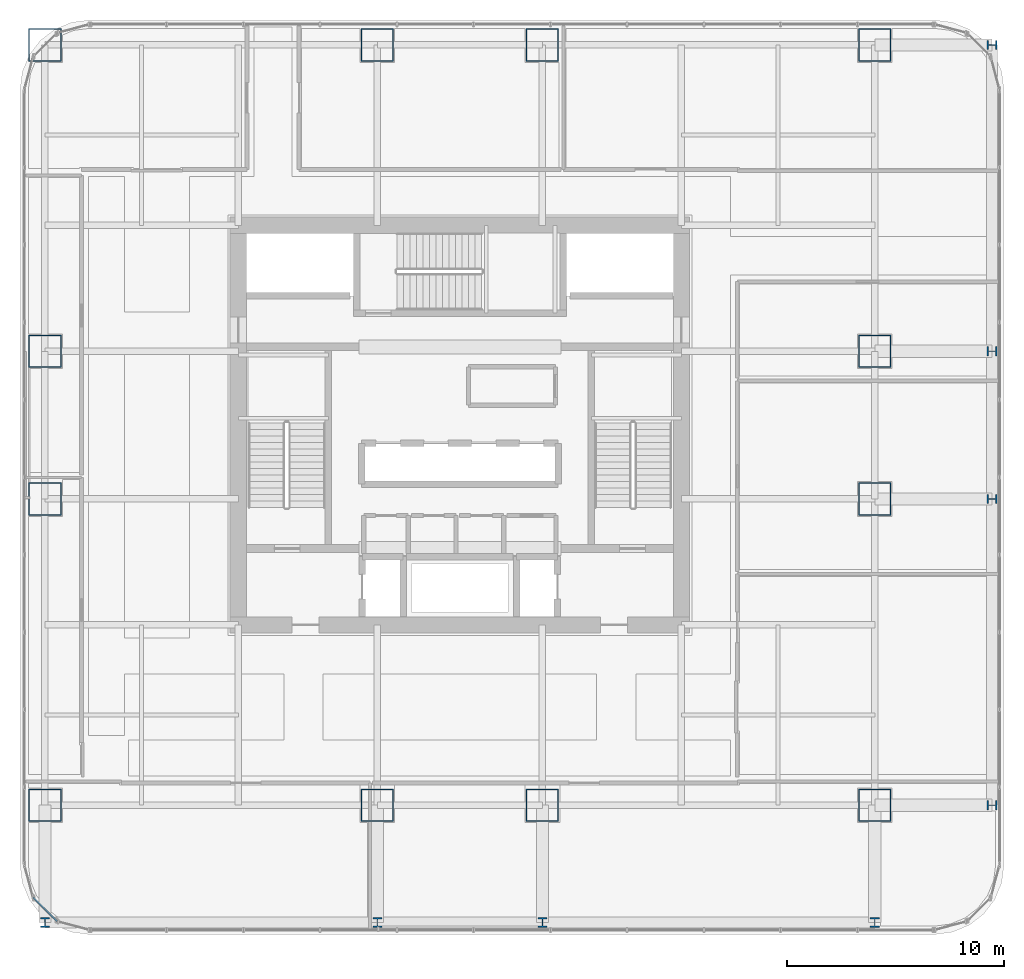
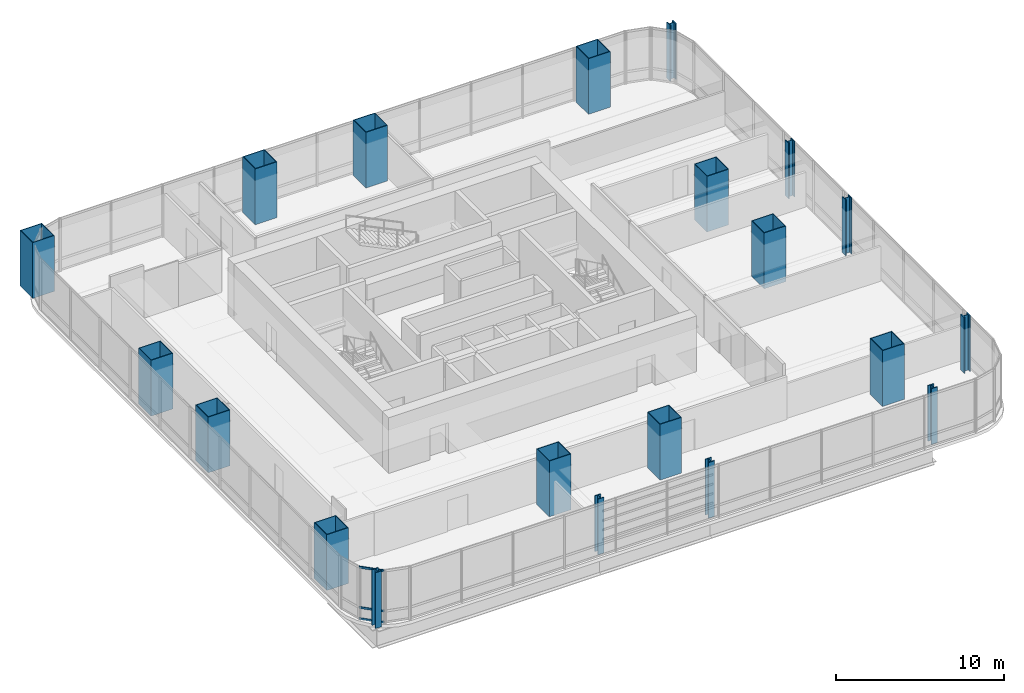
# One storey, part 1 of 35: 20 columns, 3 members, 1 element without a shape of its own.
"""IFC4 building model written with IfcOpenShell, lengths in metres."""

from ifc_helpers import new_model, si_unit, direction, frame, origin, origin_2d, place, context, subcontext, project, spatial, hollow_rectangle, i_section, extrude, material, material_profile, profile_set, type_object, element, aggregate, save


model = new_model("IFC4")

# Units and contexts
model_context = context("Model", 3, precision=1e-05, world=origin(), true_north=direction((0.0, 1.0)))
body_context = subcontext(model_context, "Body", "Model", "MODEL_VIEW")
ifc_project = project(units=[si_unit("LENGTHUNIT", "METRE"), si_unit("AREAUNIT", "SQUARE_METRE"), si_unit("VOLUMEUNIT", "CUBIC_METRE"), si_unit("PLANEANGLEUNIT", "RADIAN"), si_unit("MASSUNIT", "GRAM", prefix="KILO")], contexts=[model_context])

# Site, building, storey
site_placement = place(None, origin())
site = spatial("IfcSite", under=ifc_project, at=site_placement, CompositionType="ELEMENT")
building_placement = place(site_placement, origin())
building = spatial("IfcBuilding", under=site, at=building_placement, Name="Punatoya Terracotta Tower", CompositionType="ELEMENT")
storey_placement = place(building_placement, frame((0.0, 0.0, 68.699951171875)))
storey = spatial("IfcBuildingStorey", under=building, at=storey_placement, Name="L15", CompositionType="ELEMENT", Elevation=68.699951171875)

# Columns
ifc_material_1 = material(Name="Steel S460", Category="steel")
ifc_material_profile_1 = material_profile(ifc_material_1, i_section(OverallWidth=0.416015625, OverallDepth=0.446044921875, WebThickness=0.0390625, FlangeThickness=0.06201171875, FilletRadius=0.01806640625, at=origin_2d()))
ifc_profile_set_1 = profile_set([ifc_material_profile_1], Name="Steel S460")
column_type_1 = type_object("IfcColumnType", Name="COL-EX-M1", PredefinedType="COLUMN", material=ifc_profile_set_1)
for number, where, z_axis, x_axis, name in (
    (1, (-19.10009765625, -22.89990234375, 0.0), (0.0, 0.0, 1.0), (1.0, 0.0, 0.0), "L15 Exoskeleton Perimeter Column S1"),
    (2, (-3.800048828125, -22.89990234375, 0.0), (0.0, 0.0, 1.0), (1.0, 0.0, 0.0), "L15 Exoskeleton Perimeter Column S2"),
    (3, (3.800048828125, -22.89990234375, 0.0), (0.0, 0.0, 1.0), (1.0, 0.0, 0.0), "L15 Exoskeleton Perimeter Column S3"),
    (4, (19.10009765625, -22.89990234375, 0.0), (0.0, 0.0, 1.0), (1.0, 0.0, 0.0), "L15 Exoskeleton Perimeter Column S4"),
    (5, (24.5, -17.5, 0.0), (0.0, 0.0, 1.0), (0.0, 1.0, 0.0), "L15 Exoskeleton Perimeter Column E1"),
    (6, (24.5, -3.39990234375, 0.0), (0.0, 0.0, 1.0), (0.0, 1.0, 0.0), "L15 Exoskeleton Perimeter Column E2"),
    (7, (24.5, 3.39990234375, 0.0), (0.0, 0.0, 1.0), (0.0, 1.0, 0.0), "L15 Exoskeleton Perimeter Column E3"),
    (8, (24.5, 17.5, 0.0), (0.0, 0.0, 1.0), (0.0, 1.0, 0.0), "L15 Exoskeleton Perimeter Column E4"),
):
    element("IfcColumn", number, at=place(storey_placement, frame(where, z_axis=z_axis, x_axis=x_axis)), inside=storey, type_object=column_type_1, Name=name, PredefinedType="COLUMN", context=body_context, shape_type="SweptSolid", body=[
        extrude(i_section(OverallWidth=0.416015625, OverallDepth=0.446044921875, WebThickness=0.0390625, FlangeThickness=0.06201171875, FilletRadius=0.01806640625, at=origin_2d()), origin(), (0.0, 0.0, 1.0), 4.048095703125),
    ])
ifc_material_profile_2 = material_profile(ifc_material_1, hollow_rectangle(XDim=1.5, YDim=1.5, WallThickness=0.044921875, at=origin_2d()))
ifc_profile_set_2 = profile_set([ifc_material_profile_2], Name="Steel S460")
column_type_2 = type_object("IfcColumnType", Name="COL-MC-Z1", PredefinedType="COLUMN", material=ifc_profile_set_2)
for number, where, z_axis, x_axis, name in (
    (9, (-19.10009765625, -17.5, 0.0), (0.0, 0.0, 1.0), (1.0, 0.0, 0.0), "L15 Composite Mega-Column MC-01 (3-B)"),
    (10, (-3.800048828125, -17.5, 0.0), (0.0, 0.0, 1.0), (1.0, 0.0, 0.0), "L15 Composite Mega-Column MC-02 (5-B)"),
    (11, (3.800048828125, -17.5, 0.0), (0.0, 0.0, 1.0), (1.0, 0.0, 0.0), "L15 Composite Mega-Column MC-03 (7-B)"),
    (12, (19.10009765625, -17.5, 0.0), (0.0, 0.0, 1.0), (1.0, 0.0, 0.0), "L15 Composite Mega-Column MC-04 (9-B)"),
    (13, (19.10009765625, -3.39990234375, 0.0), (0.0, 0.0, 1.0), (1.0, 0.0, 0.0), "L15 Composite Mega-Column MC-05 (9-D)"),
    (14, (19.10009765625, 3.39990234375, 0.0), (0.0, 0.0, 1.0), (1.0, 0.0, 0.0), "L15 Composite Mega-Column MC-06 (9-E)"),
    (15, (19.10009765625, 17.5, 0.0), (0.0, 0.0, 1.0), (1.0, 0.0, 0.0), "L15 Composite Mega-Column MC-07 (9-G)"),
    (16, (3.800048828125, 17.5, 0.0), (0.0, 0.0, 1.0), (1.0, 0.0, 0.0), "L15 Composite Mega-Column MC-08 (7-G)"),
    (17, (-3.800048828125, 17.5, 0.0), (0.0, 0.0, 1.0), (1.0, 0.0, 0.0), "L15 Composite Mega-Column MC-09 (5-G)"),
    (18, (-19.10009765625, 17.5, 0.0), (0.0, 0.0, 1.0), (1.0, 0.0, 0.0), "L15 Composite Mega-Column MC-10 (3-G)"),
    (19, (-19.10009765625, 3.39990234375, 0.0), (0.0, 0.0, 1.0), (1.0, 0.0, 0.0), "L15 Composite Mega-Column MC-11 (3-E)"),
    (20, (-19.10009765625, -3.39990234375, 0.0), (0.0, 0.0, 1.0), (1.0, 0.0, 0.0), "L15 Composite Mega-Column MC-12 (3-D)"),
):
    element("IfcColumn", number, at=place(storey_placement, frame(where, z_axis=z_axis, x_axis=x_axis)), inside=storey, type_object=column_type_2, Name=name, PredefinedType="COLUMN", context=body_context, shape_type="SweptSolid", body=[
        extrude(hollow_rectangle(XDim=1.5, YDim=1.5, WallThickness=0.044921875, at=origin_2d()), origin(), (0.0, 0.0, 1.0), 4.050048828125),
    ])

# Curtain wall, members
ifc_material_2 = material(Name="Aluminium 6063-T6 + Double Low-E Glass", Category="aluminium")
curtain_wall_type = type_object("IfcCurtainWallType", Name="CW-M1", PredefinedType="NOTDEFINED", material=ifc_material_2)
curtain_wall_placement = place(storey_placement, origin())
curtain_wall = element("IfcCurtainWall", 21, at=curtain_wall_placement, inside=storey, type_object=curtain_wall_type, Name="L15 Curtain Wall CW-L15-CRN15", PredefinedType="NOTDEFINED")
ifc_material_3 = material(Name="Aluminium 6063-T6", Category="aluminium")
ifc_material_profile_3 = material_profile(ifc_material_3, hollow_rectangle(XDim=0.068115234375, YDim=0.14990234375, WallThickness=0.00390625, at=origin_2d()))
ifc_profile_set_3 = profile_set([ifc_material_profile_3], Name="Aluminium 6063-T6")
member_type = type_object("IfcMemberType", Name="CW-TRN-TYP", PredefinedType="USERDEFINED", material=ifc_profile_set_3)
member_1_placement = place(storey_placement, frame((-19.646484375, -21.7490234375, 0.0400390625), z_axis=(0.707028130747, -0.707185422879, 0.0), x_axis=(0.707185422879, 0.707028130747, 0.0)))
member_1 = element("IfcMember", 22, at=member_1_placement, type_object=member_type, Name="CW-L15-CRN15 Transom 1", ObjectType="TRANSOM", PredefinedType="USERDEFINED", context=body_context, shape_type="SweptSolid", body=[
    extrude(hollow_rectangle(XDim=0.068115234375, YDim=0.14990234375, WallThickness=0.00390625, at=origin_2d()), origin(), (0.0, 0.0, 1.0), 1.55224609375),
])
member_2_placement = place(storey_placement, frame((-19.646484375, -21.7490234375, 0.85009765625), z_axis=(0.707028130747, -0.707185422879, 0.0), x_axis=(0.707185422879, 0.707028130747, 0.0)))
member_2 = element("IfcMember", 23, at=member_2_placement, type_object=member_type, Name="CW-L15-CRN15 Transom 2", ObjectType="TRANSOM", PredefinedType="USERDEFINED", context=body_context, shape_type="SweptSolid", body=[
    extrude(hollow_rectangle(XDim=0.068115234375, YDim=0.14990234375, WallThickness=0.00390625, at=origin_2d()), origin(), (0.0, 0.0, 1.0), 1.55224609375),
])
member_3_placement = place(storey_placement, frame((-19.646484375, -21.7490234375, 3.77001953125), z_axis=(0.707028130747, -0.707185422879, 0.0), x_axis=(0.707185422879, 0.707028130747, 0.0)))
member_3 = element("IfcMember", 24, at=member_3_placement, type_object=member_type, Name="CW-L15-CRN15 Transom 3", ObjectType="TRANSOM", PredefinedType="USERDEFINED", context=body_context, shape_type="SweptSolid", body=[
    extrude(hollow_rectangle(XDim=0.068115234375, YDim=0.14990234375, WallThickness=0.00390625, at=origin_2d()), origin(), (0.0, 0.0, 1.0), 1.55224609375),
])
aggregate(curtain_wall, [member_1, member_2, member_3])

save(model, "model.ifc")
